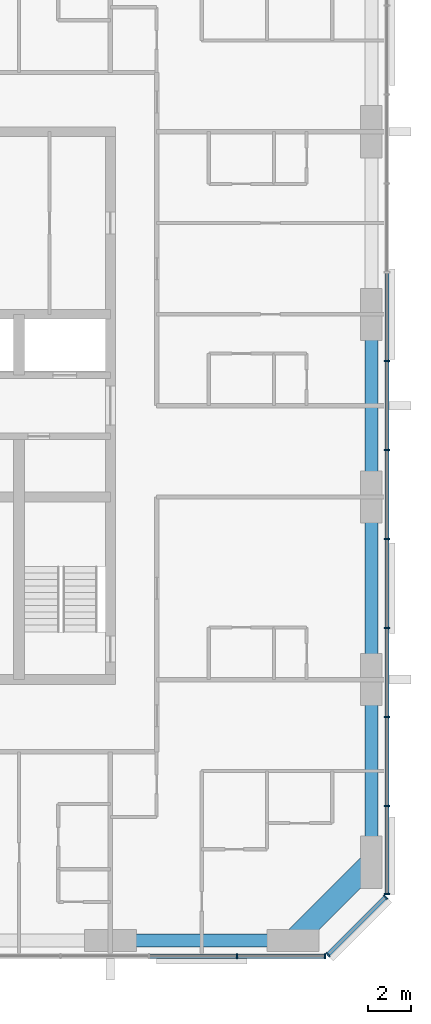
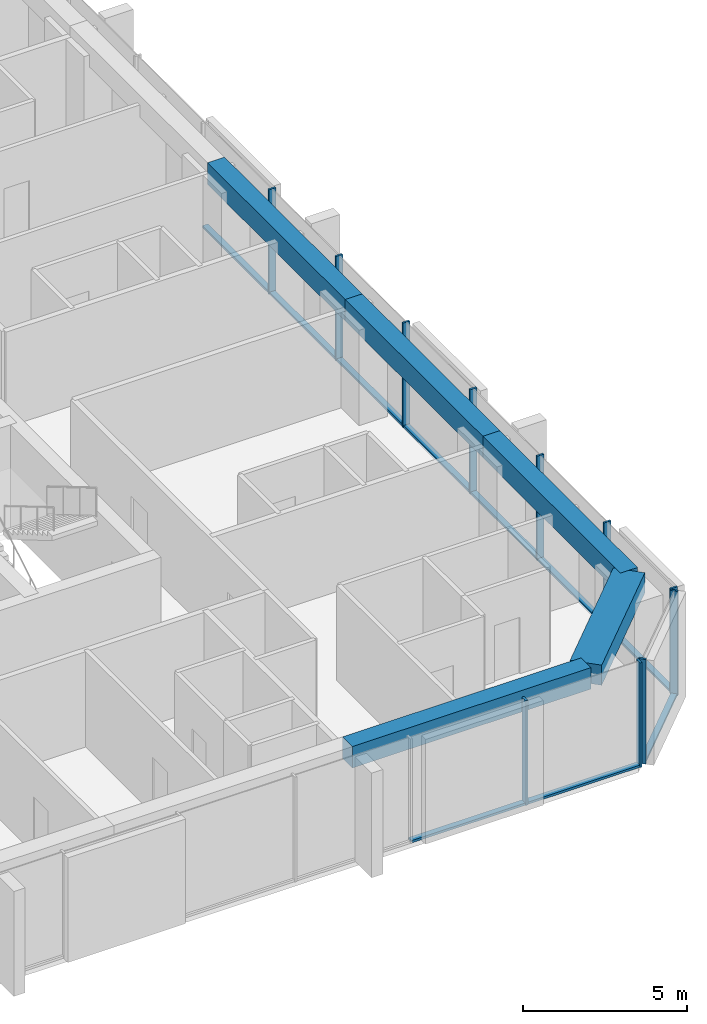
# One storey, part 3 of 13: 21 members, 5 beams, 3 elements without a shape of their own.
"""IFC4 building model written with IfcOpenShell, lengths in metres."""

from ifc_helpers import new_model, si_unit, direction, frame, origin, origin_2d, place, context, subcontext, project, spatial, rectangle, extrude, material, material_profile, profile_set, type_object, element, aggregate, save


model = new_model("IFC4")

# Units and contexts
model_context = context("Model", 3, precision=1e-05, world=origin(), true_north=direction((0.0, 1.0)))
body_context = subcontext(model_context, "Body", "Model", "MODEL_VIEW")
ifc_project = project(units=[si_unit("LENGTHUNIT", "METRE"), si_unit("AREAUNIT", "SQUARE_METRE"), si_unit("VOLUMEUNIT", "CUBIC_METRE"), si_unit("PLANEANGLEUNIT", "RADIAN"), si_unit("MASSUNIT", "GRAM", prefix="KILO")], contexts=[model_context])

# Site, building, storey
site_placement = place(None, origin())
site = spatial("IfcSite", under=ifc_project, at=site_placement, CompositionType="ELEMENT")
building_placement = place(site_placement, origin())
building = spatial("IfcBuilding", under=site, at=building_placement, Name="Dunama Terrace Hotel", CompositionType="ELEMENT")
storey_placement = place(building_placement, frame((0.0, 0.0, 276.300048828125)))
storey = spatial("IfcBuildingStorey", under=building, at=storey_placement, Name="L71", CompositionType="ELEMENT", Elevation=276.300048828125)

# Curtain wall, members
ifc_material_1 = material(Name="Aluminium curtain wall system", Category="aluminium")
curtain_wall_type = type_object("IfcCurtainWallType", Name="Unitised fritted glass wall CW-D", PredefinedType="NOTDEFINED", material=ifc_material_1)
curtain_wall_1_placement = place(storey_placement, origin())
curtain_wall_1 = element("IfcCurtainWall", 1, at=curtain_wall_1_placement, inside=storey, type_object=curtain_wall_type, Name="Unitised fritted glass wall CW-D L71", PredefinedType="NOTDEFINED")
ifc_material_2 = material(Name="Aluminium mullion", Category="aluminium")
ifc_material_profile_1 = material_profile(ifc_material_2, rectangle(XDim=0.070068359375, YDim=0.239990234375, at=origin_2d()), Name="CWD MULLION 70X240")
ifc_profile_set_1 = profile_set([ifc_material_profile_1], Name="Aluminium mullion")
member_type_1 = type_object("IfcMemberType", Name="CWD mullion 70x240", PredefinedType="MULLION", material=ifc_profile_set_1)
member_1_placement = place(storey_placement, frame((47.8330078125, 4.080078125, 0.0), z_axis=(0.0, 0.0, 1.0), x_axis=(1.0, 0.0, 0.0)))
member_1 = element("IfcMember", 2, at=member_1_placement, type_object=member_type_1, Name="CWD mullion", PredefinedType="MULLION", context=body_context, shape_type="SweptSolid", body=[
    extrude(rectangle(XDim=0.070068359375, YDim=0.239990234375, at=origin_2d()), origin(), (0.0, 0.0, 1.0), 3.89990234375),
])
member_2_placement = place(storey_placement, frame((51.864990234375, 4.080078125, 0.0), z_axis=(0.0, 0.0, 1.0), x_axis=(1.0, 0.0, 0.0)))
member_2 = element("IfcMember", 3, at=member_2_placement, type_object=member_type_1, Name="CWD mullion", PredefinedType="MULLION", context=body_context, shape_type="SweptSolid", body=[
    extrude(rectangle(XDim=0.070068359375, YDim=0.239990234375, at=origin_2d()), origin(), (0.0, 0.0, 1.0), 3.89990234375),
])

curtain_wall_2_placement = place(storey_placement, origin())
curtain_wall_2 = element("IfcCurtainWall", 4, at=curtain_wall_2_placement, inside=storey, type_object=curtain_wall_type, Name="Unitised fritted glass wall CW-D L71", PredefinedType="NOTDEFINED")
member_3_placement = place(storey_placement, frame((52.010009765625, 4.139892578125, 0.0), z_axis=(0.0, 0.0, 1.0), x_axis=(0.707106781187, 0.707106781187, 0.0)))
member_3 = element("IfcMember", 5, at=member_3_placement, type_object=member_type_1, Name="CWD mullion", PredefinedType="MULLION", context=body_context, shape_type="SweptSolid", body=[
    extrude(rectangle(XDim=0.070068359375, YDim=0.239990234375, at=origin_2d()), origin(), (0.0, 0.0, 1.0), 3.89990234375),
])
member_4_placement = place(storey_placement, frame((54.659912109375, 6.7900390625, 0.0), z_axis=(0.0, 0.0, 1.0), x_axis=(0.707106781187, 0.707106781187, 0.0)))
member_4 = element("IfcMember", 6, at=member_4_placement, type_object=member_type_1, Name="CWD mullion", PredefinedType="MULLION", context=body_context, shape_type="SweptSolid", body=[
    extrude(rectangle(XDim=0.070068359375, YDim=0.239990234375, at=origin_2d()), origin(), (0.0, 0.0, 1.0), 3.89990234375),
])

curtain_wall_3_placement = place(storey_placement, origin())
curtain_wall_3 = element("IfcCurtainWall", 7, at=curtain_wall_3_placement, inside=storey, type_object=curtain_wall_type, Name="Unitised fritted glass wall CW-D L71", PredefinedType="NOTDEFINED")
member_5_placement = place(storey_placement, frame((54.719970703125, 6.93505859375, 0.0), z_axis=(0.0, 0.0, 1.0), x_axis=(0.0, 1.0, 0.0)))
member_5 = element("IfcMember", 8, at=member_5_placement, type_object=member_type_1, Name="CWD mullion", PredefinedType="MULLION", context=body_context, shape_type="SweptSolid", body=[
    extrude(rectangle(XDim=0.070068359375, YDim=0.239990234375, at=origin_2d()), origin(), (0.0, 0.0, 1.0), 3.89990234375),
])
member_6_placement = place(storey_placement, frame((54.719970703125, 10.990966796875, 0.0), z_axis=(0.0, 0.0, 1.0), x_axis=(0.0, 1.0, 0.0)))
member_6 = element("IfcMember", 9, at=member_6_placement, type_object=member_type_1, Name="CWD mullion", PredefinedType="MULLION", context=body_context, shape_type="SweptSolid", body=[
    extrude(rectangle(XDim=0.070068359375, YDim=0.239990234375, at=origin_2d()), origin(), (0.0, 0.0, 1.0), 3.89990234375),
])
member_7_placement = place(storey_placement, frame((54.719970703125, 15.08203125, 0.0), z_axis=(0.0, 0.0, 1.0), x_axis=(0.0, 1.0, 0.0)))
member_7 = element("IfcMember", 10, at=member_7_placement, type_object=member_type_1, Name="CWD mullion", PredefinedType="MULLION", context=body_context, shape_type="SweptSolid", body=[
    extrude(rectangle(XDim=0.070068359375, YDim=0.239990234375, at=origin_2d()), origin(), (0.0, 0.0, 1.0), 3.89990234375),
])
member_8_placement = place(storey_placement, frame((54.719970703125, 19.173095703125, 0.0), z_axis=(0.0, 0.0, 1.0), x_axis=(0.0, 1.0, 0.0)))
member_8 = element("IfcMember", 11, at=member_8_placement, type_object=member_type_1, Name="CWD mullion", PredefinedType="MULLION", context=body_context, shape_type="SweptSolid", body=[
    extrude(rectangle(XDim=0.070068359375, YDim=0.239990234375, at=origin_2d()), origin(), (0.0, 0.0, 1.0), 3.89990234375),
])
member_9_placement = place(storey_placement, frame((54.719970703125, 23.263916015625, 0.0), z_axis=(0.0, 0.0, 1.0), x_axis=(0.0, 1.0, 0.0)))
member_9 = element("IfcMember", 12, at=member_9_placement, type_object=member_type_1, Name="CWD mullion", PredefinedType="MULLION", context=body_context, shape_type="SweptSolid", body=[
    extrude(rectangle(XDim=0.070068359375, YDim=0.239990234375, at=origin_2d()), origin(), (0.0, 0.0, 1.0), 3.89990234375),
])
member_10_placement = place(storey_placement, frame((54.719970703125, 27.35498046875, 0.0), z_axis=(0.0, 0.0, 1.0), x_axis=(0.0, 1.0, 0.0)))
member_10 = element("IfcMember", 13, at=member_10_placement, type_object=member_type_1, Name="CWD mullion", PredefinedType="MULLION", context=body_context, shape_type="SweptSolid", body=[
    extrude(rectangle(XDim=0.070068359375, YDim=0.239990234375, at=origin_2d()), origin(), (0.0, 0.0, 1.0), 3.89990234375),
])
member_11_placement = place(storey_placement, frame((54.719970703125, 31.445068359375, 0.0), z_axis=(0.0, 0.0, 1.0), x_axis=(0.0, 1.0, 0.0)))
member_11 = element("IfcMember", 14, at=member_11_placement, type_object=member_type_1, Name="CWD mullion", PredefinedType="MULLION", context=body_context, shape_type="SweptSolid", body=[
    extrude(rectangle(XDim=0.070068359375, YDim=0.239990234375, at=origin_2d()), origin(), (0.0, 0.0, 1.0), 3.89990234375),
])

# Member
ifc_material_3 = material(Name="Aluminium transom", Category="aluminium")
ifc_material_profile_2 = material_profile(ifc_material_3, rectangle(XDim=0.199951171875, YDim=0.0849609375, at=origin_2d()), Name="CWD TRANSOM 200X85")
ifc_profile_set_2 = profile_set([ifc_material_profile_2], Name="Aluminium transom")
member_type_2 = type_object("IfcMemberType", Name="CWD transom 200x85", PredefinedType="USERDEFINED", material=ifc_profile_set_2)
member_12_placement = place(storey_placement, frame((43.802001953125, 4.080078125, 0.04248046875), z_axis=(1.0, 0.0, 0.0), x_axis=(0.0, 1.0, 0.0)))
member_12 = element("IfcMember", 15, at=member_12_placement, type_object=member_type_2, Name="CWD transom", ObjectType="TRANSOM", PredefinedType="USERDEFINED", context=body_context, shape_type="SweptSolid", body=[
    extrude(rectangle(XDim=0.199951171875, YDim=0.0849609375, at=origin_2d()), origin(), (0.0, 0.0, 1.0), 3.99609375),
])

member_13_placement = place(storey_placement, frame((47.867919921875, 4.080078125, 0.04248046875), z_axis=(1.0, 0.0, 0.0), x_axis=(0.0, 1.0, 0.0)))
member_13 = element("IfcMember", 16, at=member_13_placement, type_object=member_type_2, Name="CWD transom", ObjectType="TRANSOM", PredefinedType="USERDEFINED", context=body_context, shape_type="SweptSolid", body=[
    extrude(rectangle(XDim=0.199951171875, YDim=0.0849609375, at=origin_2d()), origin(), (0.0, 0.0, 1.0), 3.962158203125),
])

aggregate(curtain_wall_1, [member_1, member_2, member_12, member_13])

member_14_placement = place(storey_placement, frame((52.033935546875, 4.1650390625, 0.04248046875), z_axis=(0.707106781187, 0.707106781187, 0.0), x_axis=(-0.707106781187, 0.707106781187, 0.0)))
member_14 = element("IfcMember", 17, at=member_14_placement, type_object=member_type_2, Name="CWD transom", ObjectType="TRANSOM", PredefinedType="USERDEFINED", context=body_context, shape_type="SweptSolid", body=[
    extrude(rectangle(XDim=0.199951171875, YDim=0.0849609375, at=origin_2d()), origin(), (0.0, 0.0, 1.0), 3.678466796875),
])

aggregate(curtain_wall_2, [member_3, member_4, member_14])

member_15_placement = place(storey_placement, frame((54.719970703125, 6.969970703125, 0.04248046875), z_axis=(0.0, 1.0, 0.0), x_axis=(-1.0, 0.0, 0.0)))
member_15 = element("IfcMember", 18, at=member_15_placement, type_object=member_type_2, Name="CWD transom", ObjectType="TRANSOM", PredefinedType="USERDEFINED", context=body_context, shape_type="SweptSolid", body=[
    extrude(rectangle(XDim=0.199951171875, YDim=0.0849609375, at=origin_2d()), origin(), (0.0, 0.0, 1.0), 3.986083984375),
])

member_16_placement = place(storey_placement, frame((54.719970703125, 11.02587890625, 0.04248046875), z_axis=(0.0, 1.0, 0.0), x_axis=(-1.0, 0.0, 0.0)))
member_16 = element("IfcMember", 19, at=member_16_placement, type_object=member_type_2, Name="CWD transom", ObjectType="TRANSOM", PredefinedType="USERDEFINED", context=body_context, shape_type="SweptSolid", body=[
    extrude(rectangle(XDim=0.199951171875, YDim=0.0849609375, at=origin_2d()), origin(), (0.0, 0.0, 1.0), 4.021240234375),
])

member_17_placement = place(storey_placement, frame((54.719970703125, 15.116943359375, 0.04248046875), z_axis=(0.0, 1.0, 0.0), x_axis=(-1.0, 0.0, 0.0)))
member_17 = element("IfcMember", 20, at=member_17_placement, type_object=member_type_2, Name="CWD transom", ObjectType="TRANSOM", PredefinedType="USERDEFINED", context=body_context, shape_type="SweptSolid", body=[
    extrude(rectangle(XDim=0.199951171875, YDim=0.0849609375, at=origin_2d()), origin(), (0.0, 0.0, 1.0), 4.02099609375),
])

member_18_placement = place(storey_placement, frame((54.719970703125, 19.2080078125, 0.04248046875), z_axis=(0.0, 1.0, 0.0), x_axis=(-1.0, 0.0, 0.0)))
member_18 = element("IfcMember", 21, at=member_18_placement, type_object=member_type_2, Name="CWD transom", ObjectType="TRANSOM", PredefinedType="USERDEFINED", context=body_context, shape_type="SweptSolid", body=[
    extrude(rectangle(XDim=0.199951171875, YDim=0.0849609375, at=origin_2d()), origin(), (0.0, 0.0, 1.0), 4.02099609375),
])

member_19_placement = place(storey_placement, frame((54.719970703125, 23.299072265625, 0.04248046875), z_axis=(0.0, 1.0, 0.0), x_axis=(-1.0, 0.0, 0.0)))
member_19 = element("IfcMember", 22, at=member_19_placement, type_object=member_type_2, Name="CWD transom", ObjectType="TRANSOM", PredefinedType="USERDEFINED", context=body_context, shape_type="SweptSolid", body=[
    extrude(rectangle(XDim=0.199951171875, YDim=0.0849609375, at=origin_2d()), origin(), (0.0, 0.0, 1.0), 4.02099609375),
])

member_20_placement = place(storey_placement, frame((54.719970703125, 27.389892578125, 0.04248046875), z_axis=(0.0, 1.0, 0.0), x_axis=(-1.0, 0.0, 0.0)))
member_20 = element("IfcMember", 23, at=member_20_placement, type_object=member_type_2, Name="CWD transom", ObjectType="TRANSOM", PredefinedType="USERDEFINED", context=body_context, shape_type="SweptSolid", body=[
    extrude(rectangle(XDim=0.199951171875, YDim=0.0849609375, at=origin_2d()), origin(), (0.0, 0.0, 1.0), 4.02001953125),
])

member_21_placement = place(storey_placement, frame((54.719970703125, 31.47998046875, 0.04248046875), z_axis=(0.0, 1.0, 0.0), x_axis=(-1.0, 0.0, 0.0)))
member_21 = element("IfcMember", 24, at=member_21_placement, type_object=member_type_2, Name="CWD transom", ObjectType="TRANSOM", PredefinedType="USERDEFINED", context=body_context, shape_type="SweptSolid", body=[
    extrude(rectangle(XDim=0.199951171875, YDim=0.0849609375, at=origin_2d()), origin(), (0.0, 0.0, 1.0), 4.02099609375),
])

aggregate(curtain_wall_3, [member_5, member_6, member_7, member_8, member_9, member_10, member_11, member_15, member_16, member_17, member_18, member_19, member_20, member_21])

# Beams
ifc_material_4 = material(Name="Concrete C50/60", Category="concrete")
ifc_material_profile_3 = material_profile(ifc_material_4, rectangle(XDim=1.0, YDim=0.75, at=origin_2d()), Name="RC 1000x750")
ifc_profile_set_3 = profile_set([ifc_material_profile_3], Name="Concrete C50/60")
beam_type_1 = type_object("IfcBeamType", Name="Edge beam RC 1000x750", PredefinedType="SPANDREL", material=ifc_profile_set_3)
beam_1_placement = place(storey_placement, frame((50.39990234375, 4.800048828125, 3.52490234375), z_axis=(0.707130757816, 0.707082803744, 0.0), x_axis=(-0.707082803744, 0.707130757816, 0.0)))
element("IfcBeam", 25, at=beam_1_placement, inside=storey, type_object=beam_type_1, Name="Corner edge beam under L72", PredefinedType="SPANDREL", context=body_context, shape_type="SweptSolid", body=[
    extrude(rectangle(XDim=1.0, YDim=0.75, at=origin_2d()), origin(), (0.0, 0.0, 1.0), 5.091064453125),
])
ifc_material_5 = material(Name="Concrete C40/50", Category="concrete")
ifc_material_profile_4 = material_profile(ifc_material_5, rectangle(XDim=0.60009765625, YDim=0.800048828125, at=origin_2d()), Name="RC 600x800")
ifc_profile_set_4 = profile_set([ifc_material_profile_4], Name="Concrete C40/50")
beam_type_2 = type_object("IfcBeamType", Name="Edge beam RC 600x800", PredefinedType="SPANDREL", material=ifc_profile_set_4)
beam_2_placement = place(storey_placement, frame((54.0, 8.39990234375, 3.5), z_axis=(0.0, 1.0, 0.0), x_axis=(-1.0, 0.0, 0.0)))
element("IfcBeam", 26, at=beam_2_placement, inside=storey, type_object=beam_type_2, Name="Edge beam under L72", PredefinedType="SPANDREL", context=body_context, shape_type="SweptSolid", body=[
    extrude(rectangle(XDim=0.60009765625, YDim=0.800048828125, at=origin_2d()), origin(), (0.0, 0.0, 1.0), 8.400146484375),
])
beam_3_placement = place(storey_placement, frame((54.0, 16.800048828125, 3.5), z_axis=(0.0, 1.0, 0.0), x_axis=(-1.0, 0.0, 0.0)))
element("IfcBeam", 27, at=beam_3_placement, inside=storey, type_object=beam_type_2, Name="Edge beam under L72", PredefinedType="SPANDREL", context=body_context, shape_type="SweptSolid", body=[
    extrude(rectangle(XDim=0.60009765625, YDim=0.800048828125, at=origin_2d()), origin(), (0.0, 0.0, 1.0), 8.39990234375),
])
beam_4_placement = place(storey_placement, frame((54.0, 25.199951171875, 3.5), z_axis=(0.0, 1.0, 0.0), x_axis=(-1.0, 0.0, 0.0)))
element("IfcBeam", 28, at=beam_4_placement, inside=storey, type_object=beam_type_2, Name="Edge beam under L72", PredefinedType="SPANDREL", context=body_context, shape_type="SweptSolid", body=[
    extrude(rectangle(XDim=0.60009765625, YDim=0.800048828125, at=origin_2d()), origin(), (0.0, 0.0, 1.0), 8.400146484375),
])
beam_5_placement = place(storey_placement, frame((42.0, 4.800048828125, 3.5), z_axis=(1.0, 0.0, 0.0), x_axis=(0.0, 1.0, 0.0)))
element("IfcBeam", 29, at=beam_5_placement, inside=storey, type_object=beam_type_2, Name="Edge beam under L72", PredefinedType="SPANDREL", context=body_context, shape_type="SweptSolid", body=[
    extrude(rectangle(XDim=0.60009765625, YDim=0.800048828125, at=origin_2d()), origin(), (0.0, 0.0, 1.0), 8.39990234375),
])

save(model, "model.ifc")
